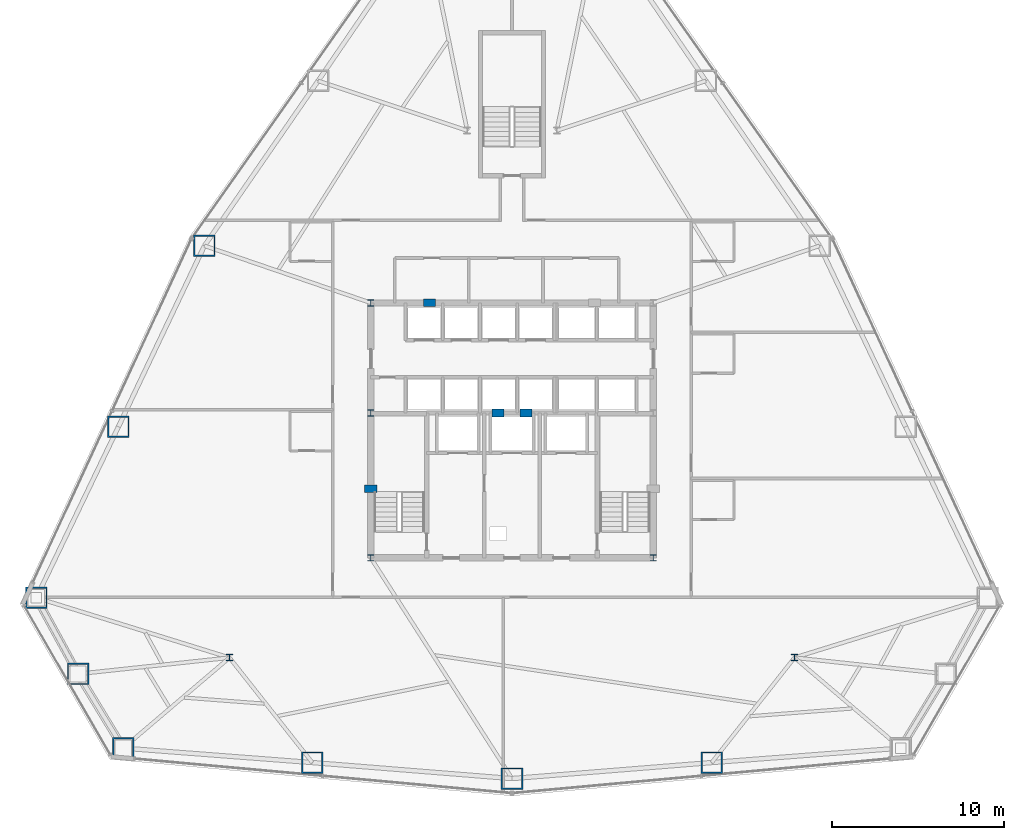
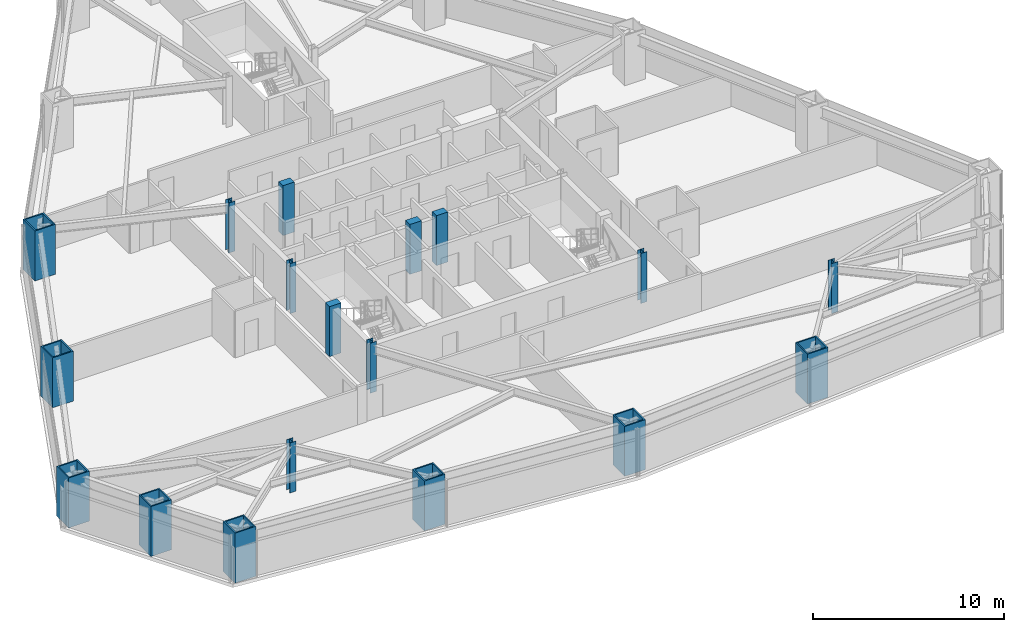
# One storey, part 1 of 12: 18 columns.
"""IFC4 building model written with IfcOpenShell, lengths in metres."""

from ifc_helpers import new_model, si_unit, direction, frame, origin, origin_2d, place, context, subcontext, project, spatial, rectangle, hollow_rectangle, i_section, extrude, material, material_profile, profile_set, type_object, element, save


model = new_model("IFC4")

# Units and contexts
model_context = context("Model", 3, precision=1e-05, world=origin(), true_north=direction((0.0, 1.0)))
body_context = subcontext(model_context, "Body", "Model", "MODEL_VIEW")
ifc_project = project(units=[si_unit("LENGTHUNIT", "METRE"), si_unit("AREAUNIT", "SQUARE_METRE"), si_unit("VOLUMEUNIT", "CUBIC_METRE"), si_unit("PLANEANGLEUNIT", "RADIAN"), si_unit("MASSUNIT", "GRAM", prefix="KILO")], contexts=[model_context])

# Site, building, storey
site_placement = place(None, origin())
site = spatial("IfcSite", under=ifc_project, at=site_placement, CompositionType="ELEMENT")
building_placement = place(site_placement, origin())
building = spatial("IfcBuilding", under=site, at=building_placement, Name="Varakhsha Concourse Tower", CompositionType="ELEMENT")
storey_placement = place(building_placement, frame((0.0, 0.0, 36.800048828125)))
storey = spatial("IfcBuildingStorey", under=building, at=storey_placement, Name="L09", CompositionType="ELEMENT", Elevation=36.800048828125)

# Columns
ifc_material_1 = material(Name="Structural Steel ASTM A992 Grade 50", Category="steel")
ifc_material_profile_1 = material_profile(ifc_material_1, i_section(OverallWidth=0.3740234375, OverallDepth=0.3720703125, WebThickness=0.01611328125, FlangeThickness=0.02587890625, at=origin_2d()), Name="W14X132")
ifc_profile_set_1 = profile_set([ifc_material_profile_1], Name="Structural Steel ASTM A992 Grade 50")
column_type_1 = type_object("IfcColumnType", Name="CL-CORE-W14X132", PredefinedType="COLUMN", material=ifc_profile_set_1)
for number, where, z_axis, x_axis, name in (
    (1, (31.800048828125, 16.39990234375, 0.0), (0.0, 0.0, 1.0), (1.0, 0.0, 0.0), "L09 Core Column CC-SW"),
    (2, (48.199951171875, 16.39990234375, 0.0), (0.0, 0.0, 1.0), (1.0, 0.0, 0.0), "L09 Core Column CC-SE"),
    (3, (31.800048828125, 24.800048828125, 0.0), (0.0, 0.0, 1.0), (1.0, 0.0, 0.0), "L09 Core Column CC-MW"),
    (4, (31.800048828125, 31.199951171875, 0.0), (0.0, 0.0, 1.0), (1.0, 0.0, 0.0), "L09 Core Column CC-NW"),
    (5, (23.60009765625, 10.60009765625, 0.0), (0.0, 0.0, 1.0), (1.0, 0.0, 0.0), "L09 Core Column SS-W"),
    (6, (56.39990234375, 10.60009765625, 0.0), (0.0, 0.0, 1.0), (1.0, 0.0, 0.0), "L09 Core Column SS-E"),
):
    element("IfcColumn", number, at=place(storey_placement, frame(where, z_axis=z_axis, x_axis=x_axis)), inside=storey, type_object=column_type_1, Name=name, PredefinedType="COLUMN", context=body_context, shape_type="SweptSolid", body=[
        extrude(i_section(OverallWidth=0.3740234375, OverallDepth=0.3720703125, WebThickness=0.01611328125, FlangeThickness=0.02587890625, at=origin_2d()), origin(), (0.0, 0.0, 1.0), 3.199951171875),
    ])
ifc_material_2 = material(Name="Concrete fc 65 MPa", Category="concrete")
ifc_material_profile_2 = material_profile(ifc_material_2, rectangle(XDim=0.699951171875, YDim=0.449951171875, at=origin_2d()), Name="RC 700x450")
ifc_profile_set_2 = profile_set([ifc_material_profile_2], Name="Concrete fc 65 MPa")
column_type_2 = type_object("IfcColumnType", Name="CL-PIL-700X450", PredefinedType="PILASTER", material=ifc_profile_set_2)
for number, where, z_axis, x_axis, name in (
    (7, (31.800048828125, 20.39990234375, 0.0), (0.0, 0.0, 1.0), (1.0, 0.0, 0.0), "L09 Core Boundary Pilaster PIL-W1"),
    (8, (35.199951171875, 31.199951171875, 0.0), (0.0, 0.0, 1.0), (1.0, 0.0, 0.0), "L09 Core Boundary Pilaster PIL-N1"),
    (9, (39.199951171875, 24.800048828125, 0.0), (0.0, 0.0, 1.0), (1.0, 0.0, 0.0), "L09 Core Boundary Pilaster PIL-M1"),
    (10, (40.800048828125, 24.800048828125, 0.0), (0.0, 0.0, 1.0), (1.0, 0.0, 0.0), "L09 Core Boundary Pilaster PIL-M2"),
):
    element("IfcColumn", number, at=place(storey_placement, frame(where, z_axis=z_axis, x_axis=x_axis)), inside=storey, type_object=column_type_2, Name=name, PredefinedType="PILASTER", context=body_context, shape_type="SweptSolid", body=[
        extrude(rectangle(XDim=0.699951171875, YDim=0.449951171875, at=origin_2d()), origin(), (0.0, 0.0, 1.0), 3.199951171875),
    ])
ifc_material_3 = material(Name="Structural Steel ASTM A572 Grade 50", Category="steel")
ifc_material_profile_3 = material_profile(ifc_material_3, hollow_rectangle(XDim=1.25, YDim=1.25, WallThickness=0.080078125, at=origin_2d()), Name="BOX 1250x1250x80")
ifc_profile_set_3 = profile_set([ifc_material_profile_3], Name="Structural Steel ASTM A572 Grade 50")
column_type_3 = type_object("IfcColumnType", Name="CL-TUBE-1250", PredefinedType="COLUMN", material=ifc_profile_set_3)
for number, where, z_axis, x_axis, name in (
    (11, (22.144775390625, 34.5087890625, 0.0), (0.0, 0.0, 1.0), (1.0, 0.0, 0.0), "L09 Framed-Tube Column TC05"),
    (12, (17.15283203125, 24.004150390625, 0.0), (0.0, 0.0, 1.0), (1.0, 0.0, 0.0), "L09 Framed-Tube Column TC06"),
    (13, (12.389404296875, 14.07958984375, 0.0), (0.0, 0.0, 1.0), (1.0, 0.0, 0.0), "L09 Framed-Tube Column TC07"),
    (14, (14.80859375, 9.65576171875, 0.0), (0.0, 0.0, 1.0), (1.0, 0.0, 0.0), "L09 Framed-Tube Column TC08"),
    (15, (17.430419921875, 5.3486328125, 0.0), (0.0, 0.0, 1.0), (1.0, 0.0, 0.0), "L09 Framed-Tube Column TC09"),
    (16, (28.40673828125, 4.51171875, 0.0), (0.0, 0.0, 1.0), (1.0, 0.0, 0.0), "L09 Framed-Tube Column TC10"),
    (17, (40.0, 3.58251953125, 0.0), (0.0, 0.0, 1.0), (1.0, 0.0, 0.0), "L09 Framed-Tube Column TC11"),
    (18, (51.59326171875, 4.51171875, 0.0), (0.0, 0.0, 1.0), (1.0, 0.0, 0.0), "L09 Framed-Tube Column TC12"),
):
    element("IfcColumn", number, at=place(storey_placement, frame(where, z_axis=z_axis, x_axis=x_axis)), inside=storey, type_object=column_type_3, Name=name, PredefinedType="COLUMN", context=body_context, shape_type="SweptSolid", body=[
        extrude(hollow_rectangle(XDim=1.25, YDim=1.25, WallThickness=0.080078125, at=origin_2d()), origin(), (0.0, 0.0, 1.0), 3.199951171875),
    ])

save(model, "model.ifc")
